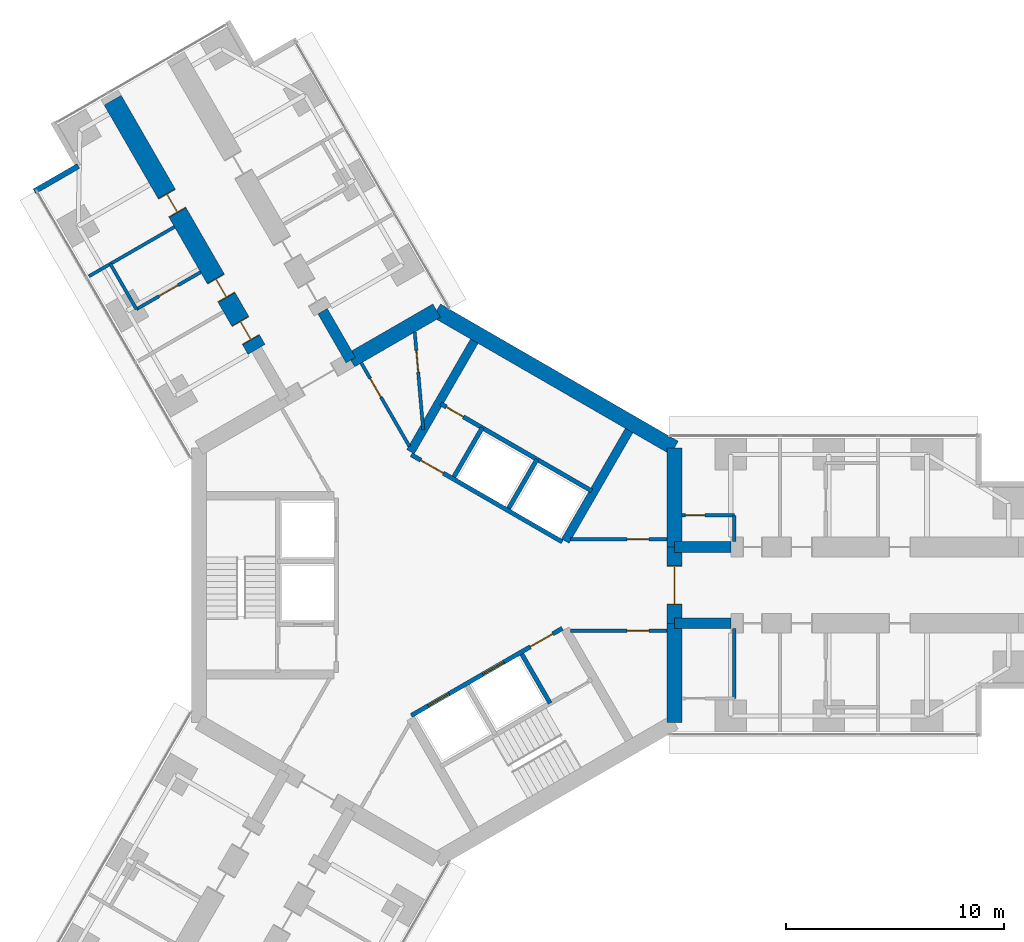
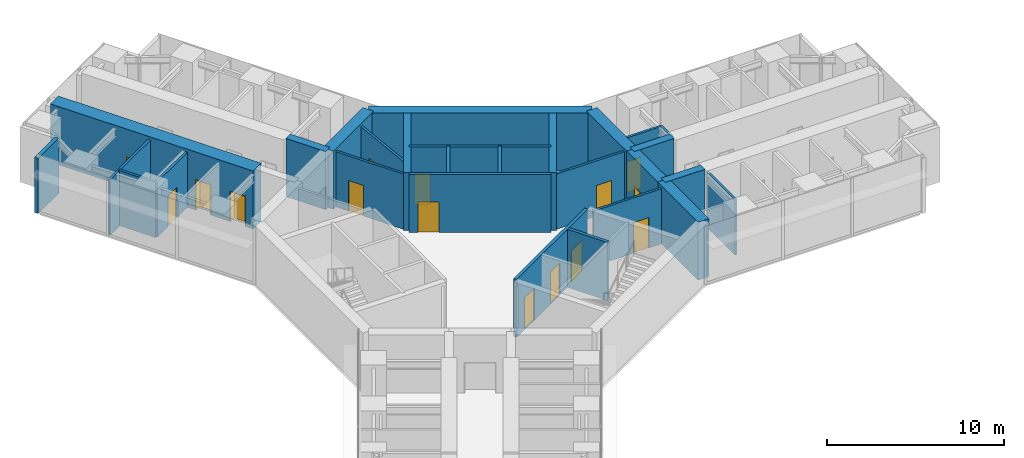
# One storey, part 18 of 24: 28 walls, 15 doors, 15 openings.
"""IFC4 building model written with IfcOpenShell, lengths in metres."""

from ifc_helpers import new_model, si_unit, direction, frame, frame_2d, origin, place, context, subcontext, project, spatial, rectangle, extrude, material, layer, layer_set, type_object, element, fill, save


model = new_model("IFC4")

# Units and contexts
model_context = context("Model", 3, precision=1e-05, world=origin(), true_north=direction((0.0, 1.0)))
body_context = subcontext(model_context, "Body", "Model", "MODEL_VIEW")
ifc_project = project(units=[si_unit("LENGTHUNIT", "METRE"), si_unit("AREAUNIT", "SQUARE_METRE"), si_unit("VOLUMEUNIT", "CUBIC_METRE"), si_unit("PLANEANGLEUNIT", "RADIAN"), si_unit("MASSUNIT", "GRAM", prefix="KILO")], contexts=[model_context])

# Site, building, storey
site_placement = place(None, origin())
site = spatial("IfcSite", under=ifc_project, at=site_placement, CompositionType="ELEMENT")
building_placement = place(site_placement, origin())
building = spatial("IfcBuilding", under=site, at=building_placement, Name="Upepo Twin Towers", CompositionType="ELEMENT")
storey_placement = place(building_placement, frame((0.0, 0.0, 68.5)))
storey = spatial("IfcBuildingStorey", under=building, at=storey_placement, Name="L16", CompositionType="ELEMENT", Elevation=68.5)

# Walls
ifc_material_1 = material(Name="Concrete C60/75", Category="concrete")
ifc_layer_1 = layer(ifc_material_1, 0.5)
ifc_layer_set_1 = layer_set([ifc_layer_1], Name="Concrete C60/75")
wall_type_1 = type_object("IfcWallType", Name="Buttress wall 500 RC", PredefinedType="SHEAR", material=ifc_layer_set_1)
for number, where, z_axis, x_axis, name in (
    (1, (10.908447265625, 1.75, 0.0), (0.0, 0.0, 1.0), (1.0, 0.0, 0.0), "T1 wing A buttress wall L"),
    (2, (10.908447265625, -1.75, 0.0), (0.0, 0.0, 1.0), (1.0, 0.0, 0.0), "T1 wing A buttress wall R"),
):
    element("IfcWall", number, at=place(storey_placement, frame(where, z_axis=z_axis, x_axis=x_axis)), inside=storey, type_object=wall_type_1, Name=name, PredefinedType="SHEAR", context=body_context, shape_type="SweptSolid", body=[
        extrude(rectangle(XDim=2.591552734375, YDim=0.5, at=frame_2d((1.2958984375, 0.0))), origin(), (0.0, 0.0, 1.0), 4.0),
    ])
wall_1_placement = place(storey_placement, frame((-3.938720703125, 10.32177734375, 0.0), z_axis=(0.0, 0.0, 1.0), x_axis=(-0.499918158782, 0.866072649678, 0.0)))
element("IfcWall", 3, at=wall_1_placement, inside=storey, type_object=wall_type_1, Name="T1 wing B buttress wall R", PredefinedType="SHEAR", context=body_context, shape_type="SweptSolid", body=[
    extrude(rectangle(XDim=2.591796875, YDim=0.5, at=frame_2d((1.2958984375, 0.0))), origin(), (0.0, 0.0, 1.0), 4.0),
])

# Wall, openings, doors
ifc_material_2 = material(Name="Concrete C60/75", Category="concrete")
ifc_layer_2 = layer(ifc_material_2, 0.89990234375)
ifc_layer_set_2 = layer_set([ifc_layer_2], Name="Concrete C60/75")
wall_type_2 = type_object("IfcWallType", Name="Buttress wall 900 RC", PredefinedType="SHEAR", material=ifc_layer_set_2)
wall_2_placement = place(storey_placement, frame((-8.265625, 10.81640625, 0.0), z_axis=(0.0, 0.0, 1.0), x_axis=(-0.499996231654, 0.866027579429, 0.0)))
wall_2 = element("IfcWall", 4, at=wall_2_placement, inside=storey, type_object=wall_type_2, Name="T1 wing B buttress wall L part 2", PredefinedType="SHEAR", context=body_context, shape_type="SweptSolid", body=[
    extrude(rectangle(XDim=13.19970703125, YDim=0.89990234375, at=frame_2d((6.599853515625, 0.0))), origin(), (0.0, 0.0, 1.0), 4.0),
])
opening_1_placement = place(wall_2_placement, frame((0.5, 0.0, 0.0)))
opening_1 = element("IfcOpeningElement", 5, at=opening_1_placement, cuts=wall_2, Name="Opening D1", PredefinedType="OPENING", context=body_context, shape_type="SweptSolid", body=[
    extrude(rectangle(XDim=1.0, YDim=2.10009765625, at=frame_2d((0.5, 1.050048828125))), frame((0.0, 0.4599609375, 0.0), z_axis=(0.0, -1.0, 0.0), x_axis=(1.0, 0.0, 0.0)), (0.0, 0.0, 1.0), 0.919921875),
])
opening_2_placement = place(wall_2_placement, frame((2.75, 0.0, 0.0)))
opening_2 = element("IfcOpeningElement", 6, at=opening_2_placement, cuts=wall_2, Name="Opening D1", PredefinedType="OPENING", context=body_context, shape_type="SweptSolid", body=[
    extrude(rectangle(XDim=1.0, YDim=2.10009765625, at=frame_2d((0.5, 1.050048828125))), frame((0.0, 0.4599609375, 0.0), z_axis=(0.0, -1.0, 0.0), x_axis=(1.0, 0.0, 0.0)), (0.0, 0.0, 1.0), 0.919921875),
])
opening_3_placement = place(wall_2_placement, frame((7.25, 0.0, 0.0)))
opening_3 = element("IfcOpeningElement", 7, at=opening_3_placement, cuts=wall_2, Name="Opening D1", PredefinedType="OPENING", context=body_context, shape_type="SweptSolid", body=[
    extrude(rectangle(XDim=1.0, YDim=2.10009765625, at=frame_2d((0.5, 1.050048828125))), frame((0.0, 0.4599609375, 0.0), z_axis=(0.0, -1.0, 0.0), x_axis=(1.0, 0.0, 0.0)), (0.0, 0.0, 1.0), 0.919921875),
])
ifc_material_3 = material(Name="Timber doorset", Category="wood")
door_type_1 = type_object("IfcDoorType", Name="Room door 1000 FD30", OperationType="SINGLE_SWING_LEFT", PredefinedType="DOOR", material=ifc_material_3)
door_1_placement = place(opening_1_placement, origin())
door_1 = element("IfcDoor", 8, at=door_1_placement, inside=storey, type_object=door_type_1, Name="T1 L16 seminar room door", OperationType="SINGLE_SWING_LEFT", OverallHeight=2.10009765625, OverallWidth=1.0, PredefinedType="DOOR", context=body_context, shape_type="SweptSolid", body=[
    extrude(rectangle(XDim=0.92, YDim=2.06009765625, at=frame_2d((0.5, 1.030029296875))), frame((0.0, 0.02490234375, 0.0), z_axis=(0.0, -1.0, 0.0), x_axis=(1.0, 0.0, 0.0)), (0.0, 0.0, 1.0), 0.050048828125),
    extrude(rectangle(XDim=0.04, YDim=2.10009765625, at=frame_2d((0.02001953125, 1.050048828125))), frame((0.0, 0.44970703125, 0.0), z_axis=(0.0, -1.0, 0.0), x_axis=(1.0, 0.0, 0.0)), (0.0, 0.0, 1.0), 0.8994140625),
    extrude(rectangle(XDim=0.04, YDim=2.10009765625, at=frame_2d((0.97998046875, 1.050048828125))), frame((0.0, 0.44970703125, 0.0), z_axis=(0.0, -1.0, 0.0), x_axis=(1.0, 0.0, 0.0)), (0.0, 0.0, 1.0), 0.8994140625),
    extrude(rectangle(XDim=0.92, YDim=0.04, at=frame_2d((0.5, 2.080078125))), frame((0.0, 0.44970703125, 0.0), z_axis=(0.0, -1.0, 0.0), x_axis=(1.0, 0.0, 0.0)), (0.0, 0.0, 1.0), 0.8994140625),
])
fill(opening_1, door_1)
door_2_placement = place(opening_2_placement, origin())
door_2 = element("IfcDoor", 9, at=door_2_placement, inside=storey, type_object=door_type_1, Name="T1 L16 staff office door", OperationType="SINGLE_SWING_LEFT", OverallHeight=2.10009765625, OverallWidth=1.0, PredefinedType="DOOR", context=body_context, shape_type="SweptSolid", body=[
    extrude(rectangle(XDim=0.92, YDim=2.06009765625, at=frame_2d((0.5, 1.030029296875))), frame((0.0, 0.02490234375, 0.0), z_axis=(0.0, -1.0, 0.0), x_axis=(1.0, 0.0, 0.0)), (0.0, 0.0, 1.0), 0.050048828125),
    extrude(rectangle(XDim=0.04, YDim=2.10009765625, at=frame_2d((0.02001953125, 1.050048828125))), frame((0.0, 0.44970703125, 0.0), z_axis=(0.0, -1.0, 0.0), x_axis=(1.0, 0.0, 0.0)), (0.0, 0.0, 1.0), 0.8994140625),
    extrude(rectangle(XDim=0.04, YDim=2.10009765625, at=frame_2d((0.97998046875, 1.050048828125))), frame((0.0, 0.44970703125, 0.0), z_axis=(0.0, -1.0, 0.0), x_axis=(1.0, 0.0, 0.0)), (0.0, 0.0, 1.0), 0.8994140625),
    extrude(rectangle(XDim=0.92, YDim=0.04, at=frame_2d((0.5, 2.080078125))), frame((0.0, 0.44970703125, 0.0), z_axis=(0.0, -1.0, 0.0), x_axis=(1.0, 0.0, 0.0)), (0.0, 0.0, 1.0), 0.8994140625),
])
fill(opening_2, door_2)
door_3_placement = place(opening_3_placement, origin())
door_3 = element("IfcDoor", 10, at=door_3_placement, inside=storey, type_object=door_type_1, Name="T1 L16 tutorial room door", OperationType="SINGLE_SWING_RIGHT", OverallHeight=2.10009765625, OverallWidth=1.0, PredefinedType="DOOR", context=body_context, shape_type="SweptSolid", body=[
    extrude(rectangle(XDim=0.92, YDim=2.06009765625, at=frame_2d((0.5, 1.030029296875))), frame((0.0, 0.02490234375, 0.0), z_axis=(0.0, -1.0, 0.0), x_axis=(1.0, 0.0, 0.0)), (0.0, 0.0, 1.0), 0.050048828125),
    extrude(rectangle(XDim=0.04, YDim=2.10009765625, at=frame_2d((0.02001953125, 1.050048828125))), frame((0.0, 0.44970703125, 0.0), z_axis=(0.0, -1.0, 0.0), x_axis=(1.0, 0.0, 0.0)), (0.0, 0.0, 1.0), 0.8994140625),
    extrude(rectangle(XDim=0.04, YDim=2.10009765625, at=frame_2d((0.97998046875, 1.050048828125))), frame((0.0, 0.44970703125, 0.0), z_axis=(0.0, -1.0, 0.0), x_axis=(1.0, 0.0, 0.0)), (0.0, 0.0, 1.0), 0.8994140625),
    extrude(rectangle(XDim=0.92, YDim=0.04, at=frame_2d((0.5, 2.080078125))), frame((0.0, 0.44970703125, 0.0), z_axis=(0.0, -1.0, 0.0), x_axis=(1.0, 0.0, 0.0)), (0.0, 0.0, 1.0), 0.8994140625),
])
fill(opening_3, door_3)

# Wall
ifc_material_4 = material(Name="Concrete C60/75", Category="concrete")
ifc_layer_3 = layer(ifc_material_4, 0.699951171875)
ifc_layer_set_3 = layer_set([ifc_layer_3], Name="Concrete C60/75")
wall_type_3 = type_object("IfcWallType", Name="Core wall 700 RC", PredefinedType="SHEAR", material=ifc_layer_set_3)
wall_3_placement = place(storey_placement, frame((10.908447265625, -6.2978515625, 0.0), z_axis=(0.0, 0.0, 1.0), x_axis=(0.0, 1.0, 0.0)))
element("IfcWall", 11, at=wall_3_placement, inside=storey, type_object=wall_type_3, Name="T1 core wall 000 R", PredefinedType="SHEAR", context=body_context, shape_type="SweptSolid", body=[
    extrude(rectangle(XDim=4.5478515625, YDim=0.699951171875, at=frame_2d((2.27392578125, 0.0))), origin(), (0.0, 0.0, 1.0), 4.0),
])

# Wall, opening, door
wall_4_placement = place(storey_placement, frame((10.908447265625, -1.75, 0.0), z_axis=(0.0, 0.0, 1.0), x_axis=(0.0, 1.0, 0.0)))
wall_4 = element("IfcWall", 12, at=wall_4_placement, inside=storey, type_object=wall_type_3, Name="T1 core wall 000", PredefinedType="SHEAR", context=body_context, shape_type="SweptSolid", body=[
    extrude(rectangle(XDim=3.5, YDim=0.699951171875, at=frame_2d((1.75, 0.0))), origin(), (0.0, 0.0, 1.0), 4.0),
])
opening_4_placement = place(wall_4_placement, frame((0.85009765625, 0.0, 0.0)))
opening_4 = element("IfcOpeningElement", 13, at=opening_4_placement, cuts=wall_4, Name="Opening D2", PredefinedType="OPENING", context=body_context, shape_type="SweptSolid", body=[
    extrude(rectangle(XDim=1.800048828125, YDim=2.10009765625, at=frame_2d((0.89990234375, 1.050048828125))), frame((0.0, 0.35986328125, 0.0), z_axis=(0.0, -1.0, 0.0), x_axis=(1.0, 0.0, 0.0)), (0.0, 0.0, 1.0), 0.719970703125),
])
ifc_material_5 = material(Name="Timber doorset", Category="wood")
door_type_2 = type_object("IfcDoorType", Name="Corridor double door 1800 FD60", OperationType="DOUBLE_DOOR_DOUBLE_SWING", PredefinedType="DOOR", material=ifc_material_5)
door_4_placement = place(opening_4_placement, origin())
door_4 = element("IfcDoor", 14, at=door_4_placement, inside=storey, type_object=door_type_2, Name="T1 L16 wing A corridor door", OperationType="DOUBLE_DOOR_DOUBLE_SWING", OverallHeight=2.10009765625, OverallWidth=1.800048828125, PredefinedType="DOOR", context=body_context, shape_type="SweptSolid", body=[
    extrude(rectangle(XDim=1.720048828125, YDim=2.06009765625, at=frame_2d((0.89990234375, 1.030029296875))), frame((0.0, 0.02490234375, 0.0), z_axis=(0.0, -1.0, 0.0), x_axis=(1.0, 0.0, 0.0)), (0.0, 0.0, 1.0), 0.050048828125),
    extrude(rectangle(XDim=0.04, YDim=2.10009765625, at=frame_2d((0.02001953125, 1.050048828125))), frame((0.0, 0.349609375, 0.0), z_axis=(0.0, -1.0, 0.0), x_axis=(1.0, 0.0, 0.0)), (0.0, 0.0, 1.0), 0.699462890625),
    extrude(rectangle(XDim=0.04, YDim=2.10009765625, at=frame_2d((1.780029296875, 1.050048828125))), frame((0.0, 0.349609375, 0.0), z_axis=(0.0, -1.0, 0.0), x_axis=(1.0, 0.0, 0.0)), (0.0, 0.0, 1.0), 0.699462890625),
    extrude(rectangle(XDim=1.720048828125, YDim=0.04, at=frame_2d((0.89990234375, 2.080078125))), frame((0.0, 0.349609375, 0.0), z_axis=(0.0, -1.0, 0.0), x_axis=(1.0, 0.0, 0.0)), (0.0, 0.0, 1.0), 0.699462890625),
])
fill(opening_4, door_4)

# Walls
wall_5_placement = place(storey_placement, frame((10.908447265625, 1.75, 0.0), z_axis=(0.0, 0.0, 1.0), x_axis=(0.0, 1.0, 0.0)))
element("IfcWall", 15, at=wall_5_placement, inside=storey, type_object=wall_type_3, Name="T1 core wall 000 L", PredefinedType="SHEAR", context=body_context, shape_type="SweptSolid", body=[
    extrude(rectangle(XDim=4.5478515625, YDim=0.699951171875, at=frame_2d((2.27392578125, 0.0))), origin(), (0.0, 0.0, 1.0), 4.0),
])
wall_6_placement = place(storey_placement, frame((10.908447265625, 6.2978515625, 0.0), z_axis=(0.0, 0.0, 1.0), x_axis=(-0.866021940709, 0.500005998175, 0.0)))
element("IfcWall", 16, at=wall_6_placement, inside=storey, type_object=wall_type_3, Name="T1 core wall 060", PredefinedType="SHEAR", context=body_context, shape_type="SweptSolid", body=[
    extrude(rectangle(XDim=12.595947265625, YDim=0.699951171875, at=frame_2d((6.2978515625, 0.0))), origin(), (0.0, 0.0, 1.0), 4.0),
])
wall_7_placement = place(storey_placement, frame((0.0, 12.595947265625, 0.0), z_axis=(0.0, 0.0, 1.0), x_axis=(-0.866011268655, -0.500024481964, 0.0)))
element("IfcWall", 17, at=wall_7_placement, inside=storey, type_object=wall_type_3, Name="T1 core wall 120 R", PredefinedType="SHEAR", context=body_context, shape_type="SweptSolid", body=[
    extrude(rectangle(XDim=4.548095703125, YDim=0.699951171875, at=frame_2d((2.27392578125, 0.0))), origin(), (0.0, 0.0, 1.0), 4.0),
])
ifc_material_6 = material(Name="Blockwork with anodised aluminium cladding", Category="masonry")
ifc_layer_4 = layer(ifc_material_6, 0.25)
ifc_layer_set_4 = layer_set([ifc_layer_4], Name="Notch cladding wall 250, pale metal")
wall_type_4 = type_object("IfcWallType", Name="Notch cladding wall 250, pale metal", PredefinedType="STANDARD", material=ifc_layer_set_4)
wall_8_placement = place(storey_placement, frame((-18.456298828125, 18.0673828125, 0.0), z_axis=(0.0, 0.0, 1.0), x_axis=(0.865998469481, 0.500046648681, 0.0)))
element("IfcWall", 18, at=wall_8_placement, inside=storey, type_object=wall_type_4, Name="T1 L16 wing B notch wall L1", PredefinedType="STANDARD", context=body_context, shape_type="SweptSolid", body=[
    extrude(rectangle(XDim=2.324951171875, YDim=0.25, at=frame_2d((1.16259765625, 0.0))), origin(), (0.0, 0.0, 1.0), 3.800048828125),
])

# Wall, opening, door
ifc_material_7 = material(Name="Concrete C40/50", Category="concrete")
ifc_layer_5 = layer(ifc_material_7, 0.199951171875)
ifc_layer_set_5 = layer_set([ifc_layer_5], Name="Concrete C40/50")
wall_type_5 = type_object("IfcWallType", Name="Shaft wall 200 RC", PredefinedType="SHEAR", material=ifc_layer_set_5)
wall_9_placement = place(storey_placement, frame((5.76416015625, 1.983642578125, 0.0), z_axis=(0.0, 0.0, 1.0), x_axis=(-0.866026010844, 0.49999894854, 0.0)))
wall_9 = element("IfcWall", 19, at=wall_9_placement, inside=storey, type_object=wall_type_5, Name="T1 core W60 front wall", PredefinedType="SHEAR", context=body_context, shape_type="SweptSolid", body=[
    extrude(rectangle(XDim=8.0, YDim=0.199951171875, at=frame_2d((4.0, 0.0))), origin(), (0.0, 0.0, 1.0), 4.0),
])
opening_5_placement = place(wall_9_placement, frame((6.300048828125, 0.0, 0.0)))
opening_5 = element("IfcOpeningElement", 20, at=opening_5_placement, cuts=wall_9, Name="Opening D4", PredefinedType="OPENING", context=body_context, shape_type="SweptSolid", body=[
    extrude(rectangle(XDim=1.199951171875, YDim=2.10009765625, at=frame_2d((0.60009765625, 1.050048828125))), frame((0.0, 0.10986328125, 0.0), z_axis=(0.0, -1.0, 0.0), x_axis=(1.0, 0.0, 0.0)), (0.0, 0.0, 1.0), 0.219970703125),
])
ifc_material_8 = material(Name="Timber doorset", Category="wood")
door_type_3 = type_object("IfcDoorType", Name="Lobby door 1200 FD60", OperationType="SINGLE_SWING_LEFT", PredefinedType="DOOR", material=ifc_material_8)
door_5_placement = place(opening_5_placement, origin())
door_5 = element("IfcDoor", 21, at=door_5_placement, inside=storey, type_object=door_type_3, Name="T1 L16 W60 lobby door", OperationType="SINGLE_SWING_RIGHT", OverallHeight=2.10009765625, OverallWidth=1.199951171875, PredefinedType="DOOR", context=body_context, shape_type="SweptSolid", body=[
    extrude(rectangle(XDim=1.199951171875, YDim=2.10009765625, at=frame_2d((0.60009765625, 1.050048828125))), frame((0.0, 0.02490234375, 0.0), z_axis=(0.0, -1.0, 0.0), x_axis=(1.0, 0.0, 0.0)), (0.0, 0.0, 1.0), 0.050048828125),
])
fill(opening_5, door_5)

# Walls
for number, where, z_axis, x_axis, name in (
    (22, (3.302734375, 3.520263671875, 0.0), (0.0, 0.0, 1.0), (0.499936506574, 0.866062058628, 0.0), "T1 core W60 shaft divider"),
    (23, (0.791259765625, 4.97021484375, 0.0), (0.0, 0.0, 1.0), (0.499936506574, 0.866062058628, 0.0), "T1 core W60 lobby wall"),
):
    element("IfcWall", number, at=place(storey_placement, frame(where, z_axis=z_axis, x_axis=x_axis)), inside=storey, type_object=wall_type_5, Name=name, PredefinedType="SHEAR", context=body_context, shape_type="SweptSolid", body=[
        extrude(rectangle(XDim=2.599853515625, YDim=0.199951171875, at=frame_2d((1.2998046875, 0.0))), origin(), (0.0, 0.0, 1.0), 4.0),
    ])

# Wall, opening, door
wall_10_placement = place(storey_placement, frame((7.114013671875, 4.322021484375, 0.0), z_axis=(0.0, 0.0, 1.0), x_axis=(-0.866026010844, 0.49999894854, 0.0)))
wall_10 = element("IfcWall", 24, at=wall_10_placement, inside=storey, type_object=wall_type_5, Name="T1 core W60 stair wall", PredefinedType="SHEAR", context=body_context, shape_type="SweptSolid", body=[
    extrude(rectangle(XDim=8.0, YDim=0.199951171875, at=frame_2d((4.0, 0.0))), origin(), (0.0, 0.0, 1.0), 4.0),
])
opening_6_placement = place(wall_10_placement, frame((6.800048828125, 0.0, 0.0)))
opening_6 = element("IfcOpeningElement", 25, at=opening_6_placement, cuts=wall_10, Name="Opening D9", PredefinedType="OPENING", context=body_context, shape_type="SweptSolid", body=[
    extrude(rectangle(XDim=0.89990234375, YDim=2.10009765625, at=frame_2d((0.449951171875, 1.050048828125))), frame((0.0, 0.10986328125, 0.0), z_axis=(0.0, -1.0, 0.0), x_axis=(1.0, 0.0, 0.0)), (0.0, 0.0, 1.0), 0.219970703125),
])
ifc_material_9 = material(Name="Timber doorset", Category="wood")
door_type_4 = type_object("IfcDoorType", Name="Riser door 900 FD60", OperationType="SINGLE_SWING_LEFT", PredefinedType="DOOR", material=ifc_material_9)
door_6_placement = place(opening_6_placement, origin())
door_6 = element("IfcDoor", 26, at=door_6_placement, inside=storey, type_object=door_type_4, Name="T1 L16 riser door", OperationType="SINGLE_SWING_RIGHT", OverallHeight=2.10009765625, OverallWidth=0.89990234375, PredefinedType="DOOR", context=body_context, shape_type="SweptSolid", body=[
    extrude(rectangle(XDim=0.89990234375, YDim=2.10009765625, at=frame_2d((0.449951171875, 1.050048828125))), frame((0.0, 0.02490234375, 0.0), z_axis=(0.0, -1.0, 0.0), x_axis=(1.0, 0.0, 0.0)), (0.0, 0.0, 1.0), 0.050048828125),
])
fill(opening_6, door_6)

# Wall, openings, doors
wall_11_placement = place(storey_placement, frame((-1.1640625, -5.983642578125, 0.0), z_axis=(0.0, 0.0, 1.0), x_axis=(0.866026010844, 0.49999894854, 0.0)))
wall_11 = element("IfcWall", 27, at=wall_11_placement, inside=storey, type_object=wall_type_5, Name="T1 core W300 front wall", PredefinedType="SHEAR", context=body_context, shape_type="SweptSolid", body=[
    extrude(rectangle(XDim=8.0, YDim=0.199951171875, at=frame_2d((4.0, 0.0))), origin(), (0.0, 0.0, 1.0), 4.0),
])
opening_7_placement = place(wall_11_placement, frame((6.300048828125, 0.0, 0.0)))
opening_7 = element("IfcOpeningElement", 28, at=opening_7_placement, cuts=wall_11, Name="Opening D4", PredefinedType="OPENING", context=body_context, shape_type="SweptSolid", body=[
    extrude(rectangle(XDim=1.199951171875, YDim=2.10009765625, at=frame_2d((0.60009765625, 1.050048828125))), frame((0.0, 0.10986328125, 0.0), z_axis=(0.0, -1.0, 0.0), x_axis=(1.0, 0.0, 0.0)), (0.0, 0.0, 1.0), 0.219970703125),
])
opening_8_placement = place(wall_11_placement, frame((0.89990234375, 0.0, 0.0)))
opening_8 = element("IfcOpeningElement", 29, at=opening_8_placement, cuts=wall_11, Name="Opening LD1", PredefinedType="OPENING", context=body_context, shape_type="SweptSolid", body=[
    extrude(rectangle(XDim=1.10009765625, YDim=2.199951171875, at=frame_2d((0.550048828125, 1.10009765625))), frame((0.0, 0.10986328125, 0.0), z_axis=(0.0, -1.0, 0.0), x_axis=(1.0, 0.0, 0.0)), (0.0, 0.0, 1.0), 0.219970703125),
])
opening_9_placement = place(wall_11_placement, frame((3.800048828125, 0.0, 0.0)))
opening_9 = element("IfcOpeningElement", 30, at=opening_9_placement, cuts=wall_11, Name="Opening LD1", PredefinedType="OPENING", context=body_context, shape_type="SweptSolid", body=[
    extrude(rectangle(XDim=1.10009765625, YDim=2.199951171875, at=frame_2d((0.550048828125, 1.10009765625))), frame((0.0, 0.10986328125, 0.0), z_axis=(0.0, -1.0, 0.0), x_axis=(1.0, 0.0, 0.0)), (0.0, 0.0, 1.0), 0.219970703125),
])
ifc_material_10 = material(Name="Steel doorset", Category="steel")
door_type_5 = type_object("IfcDoorType", Name="Lift landing door 1100", OperationType="DOUBLE_DOOR_SLIDING", PredefinedType="DOOR", material=ifc_material_10)
door_7_placement = place(opening_8_placement, origin())
door_7 = element("IfcDoor", 31, at=door_7_placement, inside=storey, type_object=door_type_5, Name="T1 L16 lift LL1 landing door", OperationType="DOUBLE_DOOR_SLIDING", OverallHeight=2.199951171875, OverallWidth=1.10009765625, PredefinedType="DOOR", context=body_context, shape_type="SweptSolid", body=[
    extrude(rectangle(XDim=1.10009765625, YDim=2.199951171875, at=frame_2d((0.550048828125, 1.10009765625))), frame((0.0, 0.02490234375, 0.0), z_axis=(0.0, -1.0, 0.0), x_axis=(1.0, 0.0, 0.0)), (0.0, 0.0, 1.0), 0.050048828125),
])
fill(opening_8, door_7)
door_8_placement = place(opening_9_placement, origin())
door_8 = element("IfcDoor", 32, at=door_8_placement, inside=storey, type_object=door_type_5, Name="T1 L16 lift LL2 landing door", OperationType="DOUBLE_DOOR_SLIDING", OverallHeight=2.199951171875, OverallWidth=1.10009765625, PredefinedType="DOOR", context=body_context, shape_type="SweptSolid", body=[
    extrude(rectangle(XDim=1.10009765625, YDim=2.199951171875, at=frame_2d((0.550048828125, 1.10009765625))), frame((0.0, 0.02490234375, 0.0), z_axis=(0.0, -1.0, 0.0), x_axis=(1.0, 0.0, 0.0)), (0.0, 0.0, 1.0), 0.050048828125),
])
fill(opening_9, door_8)
door_9_placement = place(opening_7_placement, origin())
door_9 = element("IfcDoor", 33, at=door_9_placement, inside=storey, type_object=door_type_3, Name="T1 L16 W300 lobby door", OperationType="SINGLE_SWING_RIGHT", OverallHeight=2.10009765625, OverallWidth=1.199951171875, PredefinedType="DOOR", context=body_context, shape_type="SweptSolid", body=[
    extrude(rectangle(XDim=1.199951171875, YDim=2.10009765625, at=frame_2d((0.60009765625, 1.050048828125))), frame((0.0, 0.02490234375, 0.0), z_axis=(0.0, -1.0, 0.0), x_axis=(1.0, 0.0, 0.0)), (0.0, 0.0, 1.0), 0.050048828125),
])
fill(opening_7, door_9)

# Walls
wall_12_placement = place(storey_placement, frame((3.908935546875, -3.17041015625, 0.0), z_axis=(0.0, 0.0, 1.0), x_axis=(0.49997716683, -0.86603858612, 0.0)))
element("IfcWall", 34, at=wall_12_placement, inside=storey, type_object=wall_type_5, Name="T1 core W300 lobby wall", PredefinedType="SHEAR", context=body_context, shape_type="SweptSolid", body=[
    extrude(rectangle(XDim=2.599609375, YDim=0.199951171875, at=frame_2d((1.2998046875, 0.0))), origin(), (0.0, 0.0, 1.0), 4.0),
])
ifc_material_11 = material(Name="Concrete C40/50", Category="concrete")
ifc_layer_6 = layer(ifc_material_11, 0.39990234375)
ifc_layer_set_6 = layer_set([ifc_layer_6], Name="Concrete C40/50")
wall_type_6 = type_object("IfcWallType", Name="Shaft wall 400 RC", PredefinedType="SHEAR", material=ifc_layer_set_6)
for number, where, z_axis, x_axis, name in (
    (35, (-1.20068359375, 6.120361328125, 0.0), (0.0, 0.0, 1.0), (0.500002627198, 0.866023886965, 0.0), "T1 core W60 side wall N"),
    (36, (5.900634765625, 2.020263671875, 0.0), (0.0, 0.0, 1.0), (0.500002627198, 0.866023886965, 0.0), "T1 core W60 side wall S"),
):
    element("IfcWall", number, at=place(storey_placement, frame(where, z_axis=z_axis, x_axis=x_axis)), inside=storey, type_object=wall_type_6, Name=name, PredefinedType="SHEAR", context=body_context, shape_type="SweptSolid", body=[
        extrude(rectangle(XDim=5.8583984375, YDim=0.39990234375, at=frame_2d((2.92919921875, 0.0))), origin(), (0.0, 0.0, 1.0), 4.0),
    ])

# Wall, opening, door
ifc_material_12 = material(Name="Gypsum board on steel studs", Category="steel")
ifc_layer_7 = layer(ifc_material_12, 0.14990234375)
ifc_layer_set_7 = layer_set([ifc_layer_7], Name="Teaching partition 150 acoustic")
wall_type_7 = type_object("IfcWallType", Name="Teaching partition 150 acoustic", PredefinedType="PARTITIONING", material=ifc_layer_set_7)
wall_13_placement = place(storey_placement, frame((11.258056640625, 3.199951171875, 0.0), z_axis=(0.0, 0.0, 1.0), x_axis=(1.0, 0.0, 0.0)))
wall_13 = element("IfcWall", 37, at=wall_13_placement, inside=storey, type_object=wall_type_7, Name="T1 WC bay partition AL at 11.26", PredefinedType="PARTITIONING", context=body_context, shape_type="SweptSolid", body=[
    extrude(rectangle(XDim=2.39990234375, YDim=0.14990234375, at=frame_2d((1.199951171875, 0.0))), origin(), (0.0, 0.0, 1.0), 3.800048828125),
])
opening_10_placement = place(wall_13_placement, frame((0.14990234375, 0.0, 0.0)))
opening_10 = element("IfcOpeningElement", 38, at=opening_10_placement, cuts=wall_13, Name="Opening D14", PredefinedType="OPENING", context=body_context, shape_type="SweptSolid", body=[
    extrude(rectangle(XDim=0.89990234375, YDim=2.10009765625, at=frame_2d((0.449951171875, 1.050048828125))), frame((0.0, 0.0849609375, 0.0), z_axis=(0.0, -1.0, 0.0), x_axis=(1.0, 0.0, 0.0)), (0.0, 0.0, 1.0), 0.169921875),
])
ifc_material_13 = material(Name="Timber doorset", Category="wood")
door_type_6 = type_object("IfcDoorType", Name="Office door 900 FD30", OperationType="SINGLE_SWING_LEFT", PredefinedType="DOOR", material=ifc_material_13)
door_10_placement = place(opening_10_placement, origin())
door_10 = element("IfcDoor", 39, at=door_10_placement, inside=storey, type_object=door_type_6, Name="T1 L16 WC bay inner room door", OperationType="SINGLE_SWING_LEFT", OverallHeight=2.10009765625, OverallWidth=0.89990234375, PredefinedType="DOOR", context=body_context, shape_type="SweptSolid", body=[
    extrude(rectangle(XDim=0.89990234375, YDim=2.10009765625, at=frame_2d((0.449951171875, 1.050048828125))), frame((0.0, 0.02490234375, 0.0), z_axis=(0.0, -1.0, 0.0), x_axis=(1.0, 0.0, 0.0)), (0.0, 0.0, 1.0), 0.050048828125),
])
fill(opening_10, door_10)

# Walls
wall_14_placement = place(storey_placement, frame((13.657958984375, 2.0, 0.0), z_axis=(0.0, 0.0, 1.0), x_axis=(0.0, 1.0, 0.0)))
element("IfcWall", 40, at=wall_14_placement, inside=storey, type_object=wall_type_7, Name="T1 WC bay partition AL end at 13.66", PredefinedType="PARTITIONING", context=body_context, shape_type="SweptSolid", body=[
    extrude(rectangle(XDim=1.199951171875, YDim=0.14990234375, at=frame_2d((0.60009765625, 0.0))), origin(), (0.0, 0.0, 1.0), 3.800048828125),
])
wall_15_placement = place(storey_placement, frame((13.657958984375, -2.0, 0.0), z_axis=(0.0, 0.0, 1.0), x_axis=(0.0, -1.0, 0.0)))
element("IfcWall", 41, at=wall_15_placement, inside=storey, type_object=wall_type_7, Name="T1 WC bay partition AR end at 13.66", PredefinedType="PARTITIONING", context=body_context, shape_type="SweptSolid", body=[
    extrude(rectangle(XDim=3.199951171875, YDim=0.14990234375, at=frame_2d((1.60009765625, 0.0))), origin(), (0.0, 0.0, 1.0), 3.800048828125),
])
wall_16_placement = place(storey_placement, frame((-12.0302734375, 16.43701171875, 0.0), z_axis=(0.0, 0.0, 1.0), x_axis=(-0.866035472144, -0.499982560684, 0.0)))
element("IfcWall", 42, at=wall_16_placement, inside=storey, type_object=wall_type_7, Name="T1 partition BL at 20.25", PredefinedType="PARTITIONING", context=body_context, shape_type="SweptSolid", body=[
    extrude(rectangle(XDim=4.550048828125, YDim=0.14990234375, at=frame_2d((2.27490234375, 0.0))), origin(), (0.0, 0.0, 1.0), 3.800048828125),
])
wall_17_placement = place(storey_placement, frame((-13.774658203125, 12.658447265625, 0.0), z_axis=(0.0, 0.0, 1.0), x_axis=(-0.500033551112, 0.866006032174, 0.0)))
element("IfcWall", 43, at=wall_17_placement, inside=storey, type_object=wall_type_7, Name="T1 inner room partition BL at 17.85", PredefinedType="PARTITIONING", context=body_context, shape_type="SweptSolid", body=[
    extrude(rectangle(XDim=2.400146484375, YDim=0.14990234375, at=frame_2d((1.2001953125, 0.0))), origin(), (0.0, 0.0, 1.0), 3.800048828125),
])

# Wall, opening, door
wall_18_placement = place(storey_placement, frame((-10.830322265625, 14.358642578125, 0.0), z_axis=(0.0, 0.0, 1.0), x_axis=(-0.865989465428, -0.500062241894, 0.0)))
wall_18 = element("IfcWall", 44, at=wall_18_placement, inside=storey, type_object=wall_type_7, Name="T1 inner room partition BL end at 17.85", PredefinedType="PARTITIONING", context=body_context, shape_type="SweptSolid", body=[
    extrude(rectangle(XDim=3.39990234375, YDim=0.14990234375, at=frame_2d((1.699951171875, 0.0))), origin(), (0.0, 0.0, 1.0), 3.800048828125),
])
opening_11_placement = place(wall_18_placement, frame((1.199951171875, 0.0, 0.0)))
opening_11 = element("IfcOpeningElement", 45, at=opening_11_placement, cuts=wall_18, Name="Opening D1", PredefinedType="OPENING", context=body_context, shape_type="SweptSolid", body=[
    extrude(rectangle(XDim=1.0, YDim=2.10009765625, at=frame_2d((0.5, 1.050048828125))), frame((0.0, 0.0849609375, 0.0), z_axis=(0.0, -1.0, 0.0), x_axis=(1.0, 0.0, 0.0)), (0.0, 0.0, 1.0), 0.169921875),
])
door_11_placement = place(opening_11_placement, origin())
door_11 = element("IfcDoor", 46, at=door_11_placement, inside=storey, type_object=door_type_1, Name="T1 L16 inner room door", OperationType="SINGLE_SWING_LEFT", OverallHeight=2.10009765625, OverallWidth=1.0, PredefinedType="DOOR", context=body_context, shape_type="SweptSolid", body=[
    extrude(rectangle(XDim=1.0, YDim=2.10009765625, at=frame_2d((0.5, 1.050048828125))), frame((0.0, 0.02490234375, 0.0), z_axis=(0.0, -1.0, 0.0), x_axis=(1.0, 0.0, 0.0)), (0.0, 0.0, 1.0), 0.050048828125),
])
fill(opening_11, door_11)

wall_19_placement = place(storey_placement, frame((-3.465576171875, 10.202392578125, 0.0), z_axis=(0.0, 0.0, 1.0), x_axis=(0.500007369519, -0.866021148949, 0.0)))
wall_19 = element("IfcWall", 47, at=wall_19_placement, inside=storey, type_object=wall_type_7, Name="T1 core room partition 4", PredefinedType="PARTITIONING", context=body_context, shape_type="SweptSolid", body=[
    extrude(rectangle(XDim=4.42578125, YDim=0.14990234375, at=frame_2d((2.212890625, 0.0))), origin(), (0.0, 0.0, 1.0), 3.800048828125),
])
opening_12_placement = place(wall_19_placement, frame((0.82763671875, 0.0, 0.0)))
opening_12 = element("IfcOpeningElement", 48, at=opening_12_placement, cuts=wall_19, Name="Opening D1", PredefinedType="OPENING", context=body_context, shape_type="SweptSolid", body=[
    extrude(rectangle(XDim=1.0, YDim=2.10009765625, at=frame_2d((0.5, 1.050048828125))), frame((0.0, 0.0849609375, 0.0), z_axis=(0.0, -1.0, 0.0), x_axis=(1.0, 0.0, 0.0)), (0.0, 0.0, 1.0), 0.169921875),
])
door_12_placement = place(opening_12_placement, origin())
door_12 = element("IfcDoor", 49, at=door_12_placement, inside=storey, type_object=door_type_1, Name="T1 L16 core room door K5", OperationType="SINGLE_SWING_LEFT", OverallHeight=2.10009765625, OverallWidth=1.0, PredefinedType="DOOR", context=body_context, shape_type="SweptSolid", body=[
    extrude(rectangle(XDim=1.0, YDim=2.10009765625, at=frame_2d((0.5, 1.050048828125))), frame((0.0, 0.02490234375, 0.0), z_axis=(0.0, -1.0, 0.0), x_axis=(1.0, 0.0, 0.0)), (0.0, 0.0, 1.0), 0.050048828125),
])
fill(opening_12, door_12)

wall_20_placement = place(storey_placement, frame((6.142578125, 2.10009765625, 0.0), z_axis=(0.0, 0.0, 1.0), x_axis=(1.0, 0.0, 0.0)))
wall_20 = element("IfcWall", 50, at=wall_20_placement, inside=storey, type_object=wall_type_7, Name="T1 core room partition 5", PredefinedType="PARTITIONING", context=body_context, shape_type="SweptSolid", body=[
    extrude(rectangle(XDim=4.42578125, YDim=0.14990234375, at=frame_2d((2.212890625, 0.0))), origin(), (0.0, 0.0, 1.0), 3.800048828125),
])
opening_13_placement = place(wall_20_placement, frame((2.597900390625, 0.0, 0.0)))
opening_13 = element("IfcOpeningElement", 51, at=opening_13_placement, cuts=wall_20, Name="Opening D1", PredefinedType="OPENING", context=body_context, shape_type="SweptSolid", body=[
    extrude(rectangle(XDim=1.0, YDim=2.10009765625, at=frame_2d((0.5, 1.050048828125))), frame((0.0, 0.0849609375, 0.0), z_axis=(0.0, -1.0, 0.0), x_axis=(1.0, 0.0, 0.0)), (0.0, 0.0, 1.0), 0.169921875),
])
door_13_placement = place(opening_13_placement, origin())
door_13 = element("IfcDoor", 52, at=door_13_placement, inside=storey, type_object=door_type_1, Name="T1 L16 core room door K4", OperationType="SINGLE_SWING_RIGHT", OverallHeight=2.10009765625, OverallWidth=1.0, PredefinedType="DOOR", context=body_context, shape_type="SweptSolid", body=[
    extrude(rectangle(XDim=1.0, YDim=2.10009765625, at=frame_2d((0.5, 1.050048828125))), frame((0.0, 0.02490234375, 0.0), z_axis=(0.0, -1.0, 0.0), x_axis=(1.0, 0.0, 0.0)), (0.0, 0.0, 1.0), 0.050048828125),
])
fill(opening_13, door_13)

wall_21_placement = place(storey_placement, frame((10.568359375, -2.10009765625, 0.0), z_axis=(0.0, 0.0, 1.0), x_axis=(-1.0, 0.0, 0.0)))
wall_21 = element("IfcWall", 53, at=wall_21_placement, inside=storey, type_object=wall_type_7, Name="T1 core room partition 6", PredefinedType="PARTITIONING", context=body_context, shape_type="SweptSolid", body=[
    extrude(rectangle(XDim=4.42578125, YDim=0.14990234375, at=frame_2d((2.212890625, 0.0))), origin(), (0.0, 0.0, 1.0), 3.800048828125),
])
opening_14_placement = place(wall_21_placement, frame((0.82763671875, 0.0, 0.0)))
opening_14 = element("IfcOpeningElement", 54, at=opening_14_placement, cuts=wall_21, Name="Opening D1", PredefinedType="OPENING", context=body_context, shape_type="SweptSolid", body=[
    extrude(rectangle(XDim=1.0, YDim=2.10009765625, at=frame_2d((0.5, 1.050048828125))), frame((0.0, 0.0849609375, 0.0), z_axis=(0.0, -1.0, 0.0), x_axis=(1.0, 0.0, 0.0)), (0.0, 0.0, 1.0), 0.169921875),
])
door_14_placement = place(opening_14_placement, origin())
door_14 = element("IfcDoor", 55, at=door_14_placement, inside=storey, type_object=door_type_1, Name="T1 L16 core room door K3", OperationType="SINGLE_SWING_LEFT", OverallHeight=2.10009765625, OverallWidth=1.0, PredefinedType="DOOR", context=body_context, shape_type="SweptSolid", body=[
    extrude(rectangle(XDim=1.0, YDim=2.10009765625, at=frame_2d((0.5, 1.050048828125))), frame((0.0, 0.02490234375, 0.0), z_axis=(0.0, -1.0, 0.0), x_axis=(1.0, 0.0, 0.0)), (0.0, 0.0, 1.0), 0.050048828125),
])
fill(opening_14, door_14)

wall_22_placement = place(storey_placement, frame((-0.617919921875, 7.12939453125, 0.0), z_axis=(0.0, 0.0, 1.0), x_axis=(-0.086409450071, 0.996259708579, 0.0)))
wall_22 = element("IfcWall", 56, at=wall_22_placement, inside=storey, type_object=wall_type_7, Name="T1 core room partition 7", PredefinedType="PARTITIONING", context=body_context, shape_type="SweptSolid", body=[
    extrude(rectangle(XDim=4.498046875, YDim=0.14990234375, at=frame_2d((2.2490234375, 0.0))), origin(), (0.0, 0.0, 1.0), 3.800048828125),
])
opening_15_placement = place(wall_22_placement, frame((2.6484375, 0.0, 0.0)))
opening_15 = element("IfcOpeningElement", 57, at=opening_15_placement, cuts=wall_22, Name="Opening D1", PredefinedType="OPENING", context=body_context, shape_type="SweptSolid", body=[
    extrude(rectangle(XDim=1.0, YDim=2.10009765625, at=frame_2d((0.5, 1.050048828125))), frame((0.0, 0.0849609375, 0.0), z_axis=(0.0, -1.0, 0.0), x_axis=(1.0, 0.0, 0.0)), (0.0, 0.0, 1.0), 0.169921875),
])
door_15_placement = place(opening_15_placement, origin())
door_15 = element("IfcDoor", 58, at=door_15_placement, inside=storey, type_object=door_type_1, Name="T1 L16 core room door K6", OperationType="SINGLE_SWING_RIGHT", OverallHeight=2.10009765625, OverallWidth=1.0, PredefinedType="DOOR", context=body_context, shape_type="SweptSolid", body=[
    extrude(rectangle(XDim=1.0, YDim=2.10009765625, at=frame_2d((0.5, 1.050048828125))), frame((0.0, 0.02490234375, 0.0), z_axis=(0.0, -1.0, 0.0), x_axis=(1.0, 0.0, 0.0)), (0.0, 0.0, 1.0), 0.050048828125),
])
fill(opening_15, door_15)

save(model, "model.ifc")
